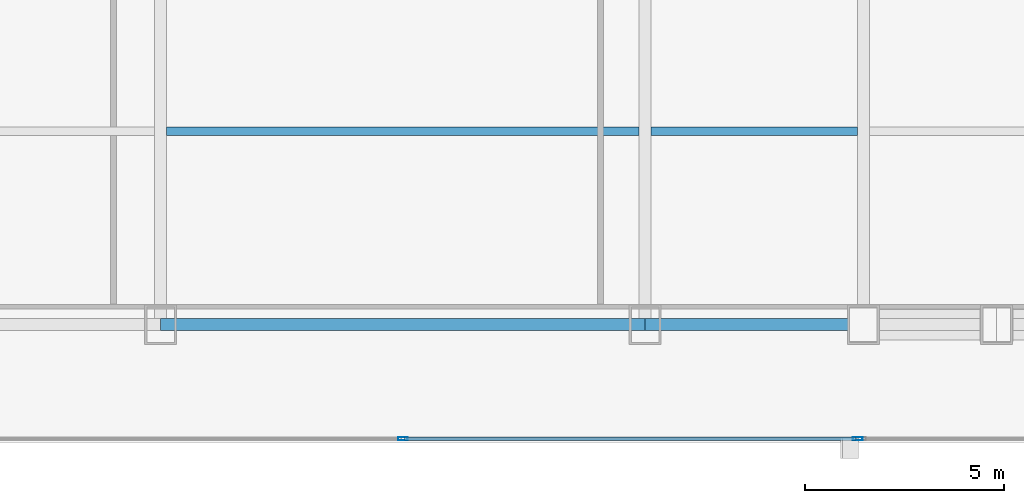
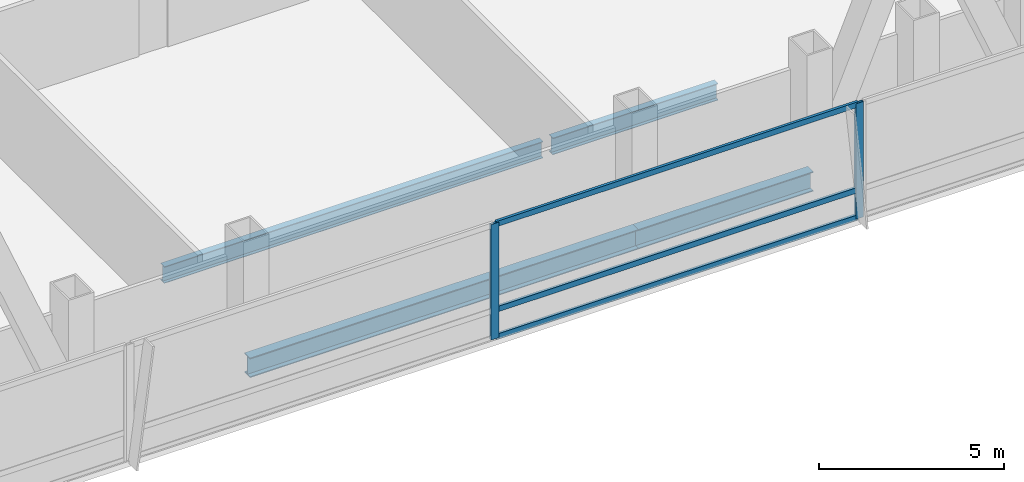
# One storey, part 12 of 33: 5 members, 4 beams, 1 element without a shape of its own.
"""IFC4 building model written with IfcOpenShell, lengths in metres."""

from ifc_helpers import new_model, si_unit, direction, frame, origin, origin_2d, place, context, subcontext, project, spatial, hollow_rectangle, i_section, extrude, material, material_profile, profile_set, type_object, element, aggregate, save


model = new_model("IFC4")

# Units and contexts
model_context = context("Model", 3, precision=1e-05, world=origin(), true_north=direction((0.0, 1.0)))
body_context = subcontext(model_context, "Body", "Model", "MODEL_VIEW")
ifc_project = project(units=[si_unit("LENGTHUNIT", "METRE"), si_unit("AREAUNIT", "SQUARE_METRE"), si_unit("VOLUMEUNIT", "CUBIC_METRE"), si_unit("PLANEANGLEUNIT", "RADIAN"), si_unit("MASSUNIT", "GRAM", prefix="KILO")], contexts=[model_context])

# Site, building, storey
site_placement = place(None, origin())
site = spatial("IfcSite", under=ifc_project, at=site_placement, CompositionType="ELEMENT")
building_placement = place(site_placement, origin())
building = spatial("IfcBuilding", under=site, at=building_placement, Name="Khoronbel Lancet Exchange", CompositionType="ELEMENT")
storey_placement = place(building_placement, frame((0.0, 0.0, 73.800048828125)))
storey = spatial("IfcBuildingStorey", under=building, at=storey_placement, Name="L17", CompositionType="ELEMENT", Elevation=73.800048828125)

# Beams
ifc_material_1 = material(Name="Steel S355", Category="steel")
ifc_material_profile_1 = material_profile(ifc_material_1, i_section(OverallWidth=0.2099609375, OverallDepth=0.550048828125, WebThickness=0.010986328125, FlangeThickness=0.01708984375, at=origin_2d()), Name="IPE 550")
ifc_profile_set_1 = profile_set([ifc_material_profile_1], Name="Steel S355")
beam_type_1 = type_object("IfcBeamType", Name="BM-BJ2", PredefinedType="JOIST", material=ifc_profile_set_1)
beam_1_placement = place(storey_placement, frame((30.52490234375, 15.0, -0.455078125), z_axis=(1.0, 0.0, 0.0), x_axis=(0.0, 1.0, 0.0)))
element("IfcBeam", 1, at=beam_1_placement, inside=storey, type_object=beam_type_1, Name="Level L17 secondary composite joist J03", PredefinedType="JOIST", context=body_context, shape_type="SweptSolid", body=[
    extrude(i_section(OverallWidth=0.2099609375, OverallDepth=0.550048828125, WebThickness=0.010986328125, FlangeThickness=0.01708984375, at=origin_2d()), origin(), (0.0, 0.0, 1.0), 11.85009765625),
])
beam_2_placement = place(storey_placement, frame((42.675048828125, 15.0, -0.455078125), z_axis=(1.0, 0.0, 0.0), x_axis=(0.0, 1.0, 0.0)))
element("IfcBeam", 2, at=beam_2_placement, inside=storey, type_object=beam_type_1, Name="Level L17 secondary composite joist J04", PredefinedType="JOIST", context=body_context, shape_type="SweptSolid", body=[
    extrude(i_section(OverallWidth=0.2099609375, OverallDepth=0.550048828125, WebThickness=0.010986328125, FlangeThickness=0.01708984375, at=origin_2d()), origin(), (0.0, 0.0, 1.0), 5.175048828125),
])
ifc_material_profile_2 = material_profile(ifc_material_1, i_section(OverallWidth=0.300048828125, OverallDepth=0.64990234375, WebThickness=0.01611328125, FlangeThickness=0.031005859375, at=origin_2d()), Name="HEB 650")
ifc_profile_set_2 = profile_set([ifc_material_profile_2], Name="Steel S355")
beam_type_2 = type_object("IfcBeamType", Name="BM-BSP1", PredefinedType="SPANDREL", material=ifc_profile_set_2)
beam_3_placement = place(storey_placement, frame((30.375, 10.14990234375, -0.505126953125), z_axis=(1.0, 0.0, 0.0), x_axis=(0.0, 1.0, 0.0)))
element("IfcBeam", 3, at=beam_3_placement, inside=storey, type_object=beam_type_2, Name="Level L17 perimeter spandrel beam SP05", PredefinedType="SPANDREL", context=body_context, shape_type="SweptSolid", body=[
    extrude(i_section(OverallWidth=0.300048828125, OverallDepth=0.64990234375, WebThickness=0.01611328125, FlangeThickness=0.031005859375, at=origin_2d()), origin(), (0.0, 0.0, 1.0), 12.14990234375),
])
beam_4_placement = place(storey_placement, frame((42.52490234375, 10.14990234375, -0.505126953125), z_axis=(1.0, 0.0, 0.0), x_axis=(0.0, 1.0, 0.0)))
element("IfcBeam", 4, at=beam_4_placement, inside=storey, type_object=beam_type_2, Name="Level L17 perimeter spandrel beam SP06", PredefinedType="SPANDREL", context=body_context, shape_type="SweptSolid", body=[
    extrude(i_section(OverallWidth=0.300048828125, OverallDepth=0.64990234375, WebThickness=0.01611328125, FlangeThickness=0.031005859375, at=origin_2d()), origin(), (0.0, 0.0, 1.0), 5.47509765625),
])

# Curtain wall, members
ifc_material_2 = material(Name="Low-E Solar Control Insulating Glass", Category="glass")
curtain_wall_type = type_object("IfcCurtainWallType", Name="CW-1", PredefinedType="NOTDEFINED", material=ifc_material_2)
curtain_wall_placement = place(storey_placement, origin())
curtain_wall = element("IfcCurtainWall", 5, at=curtain_wall_placement, inside=storey, type_object=curtain_wall_type, Name="Unitised curtain wall CW-L17-SCV", PredefinedType="NOTDEFINED")
ifc_material_3 = material(Name="Bronze-Anodised Aluminium 6063-T6", Category="aluminium")
ifc_material_profile_3 = material_profile(ifc_material_3, hollow_rectangle(XDim=0.0849609375, YDim=0.239990234375, WallThickness=0.006103515625, at=origin_2d()), Name="ALU MULLION 85x240")
ifc_profile_set_3 = profile_set([ifc_material_profile_3], Name="Bronze-Anodised Aluminium 6063-T6")
member_type_1 = type_object("IfcMemberType", Name="MEM-CWM1", PredefinedType="MULLION", material=ifc_profile_set_3)
member_1_placement = place(storey_placement, frame((36.449951171875, 7.2900390625, 0.0), z_axis=(0.0, 0.0, 1.0), x_axis=(0.0, 1.0, 0.0)))
member_1 = element("IfcMember", 6, at=member_1_placement, type_object=member_type_1, Name="CW1 mullion 2", PredefinedType="MULLION", context=body_context, shape_type="SweptSolid", body=[
    extrude(hollow_rectangle(XDim=0.0849609375, YDim=0.239990234375, WallThickness=0.006103515625, at=origin_2d()), origin(), (0.0, 0.0, 1.0), 3.820068359375),
])
member_2_placement = place(storey_placement, frame((47.857421875, 7.2900390625, 0.0), z_axis=(0.0, 0.0, 1.0), x_axis=(0.0, 1.0, 0.0)))
member_2 = element("IfcMember", 7, at=member_2_placement, type_object=member_type_1, Name="CW1 mullion 3", PredefinedType="MULLION", context=body_context, shape_type="SweptSolid", body=[
    extrude(hollow_rectangle(XDim=0.0849609375, YDim=0.239990234375, WallThickness=0.006103515625, at=origin_2d()), origin(), (0.0, 0.0, 1.0), 3.820068359375),
])
ifc_material_profile_4 = material_profile(ifc_material_3, hollow_rectangle(XDim=0.0849609375, YDim=0.179931640625, WallThickness=0.0048828125, at=origin_2d()), Name="ALU TRANSOM 85x180")
ifc_profile_set_4 = profile_set([ifc_material_profile_4], Name="Bronze-Anodised Aluminium 6063-T6")
member_type_2 = type_object("IfcMemberType", Name="MEM-CWT1", PredefinedType="USERDEFINED", material=ifc_profile_set_4)
member_3_placement = place(storey_placement, frame((36.492431640625, 7.2900390625, 0.04248046875), z_axis=(1.0, 0.0, 0.0), x_axis=(0.0, 1.0, 0.0)))
member_3 = element("IfcMember", 8, at=member_3_placement, type_object=member_type_2, Name="CW1 transom 2.1", ObjectType="TRANSOM", PredefinedType="USERDEFINED", context=body_context, shape_type="SweptSolid", body=[
    extrude(hollow_rectangle(XDim=0.0849609375, YDim=0.179931640625, WallThickness=0.0048828125, at=origin_2d()), origin(), (0.0, 0.0, 1.0), 11.322509765625),
])
member_4_placement = place(storey_placement, frame((36.492431640625, 7.2900390625, 0.949951171875), z_axis=(1.0, 0.0, 0.0), x_axis=(0.0, 1.0, 0.0)))
member_4 = element("IfcMember", 9, at=member_4_placement, type_object=member_type_2, Name="CW1 transom 2.2", ObjectType="TRANSOM", PredefinedType="USERDEFINED", context=body_context, shape_type="SweptSolid", body=[
    extrude(hollow_rectangle(XDim=0.0849609375, YDim=0.179931640625, WallThickness=0.0048828125, at=origin_2d()), origin(), (0.0, 0.0, 1.0), 11.322509765625),
])
member_5_placement = place(storey_placement, frame((36.492431640625, 7.2900390625, 3.77734375), z_axis=(1.0, 0.0, 0.0), x_axis=(0.0, 1.0, 0.0)))
member_5 = element("IfcMember", 10, at=member_5_placement, type_object=member_type_2, Name="CW1 transom 2.3", ObjectType="TRANSOM", PredefinedType="USERDEFINED", context=body_context, shape_type="SweptSolid", body=[
    extrude(hollow_rectangle(XDim=0.0849609375, YDim=0.179931640625, WallThickness=0.0048828125, at=origin_2d()), origin(), (0.0, 0.0, 1.0), 11.322509765625),
])
aggregate(curtain_wall, [member_1, member_2, member_3, member_4, member_5])

save(model, "model.ifc")
